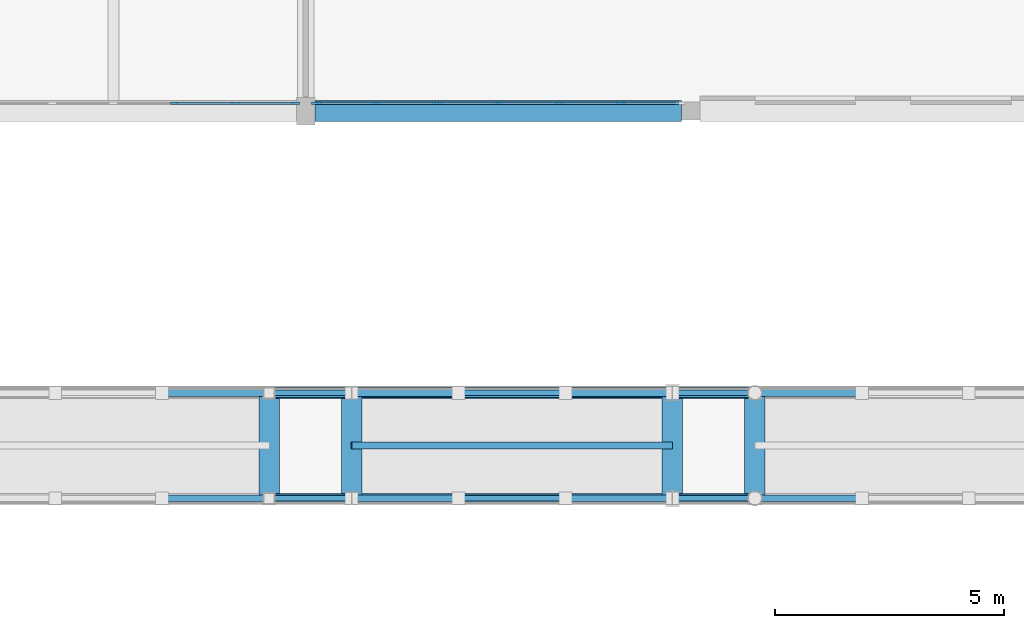
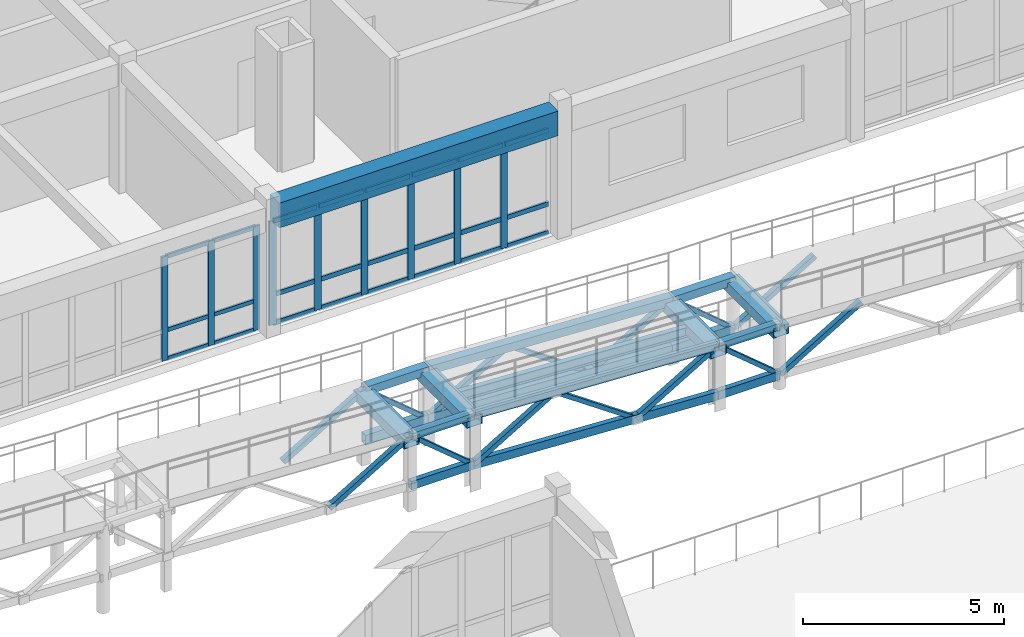
# One storey, part 39 of 89: 59 members, 6 beams, 2 elements without a shape of their own.
"""IFC4 building model written with IfcOpenShell, lengths in metres."""

from ifc_helpers import new_model, si_unit, direction, frame, origin, origin_2d, place, context, subcontext, project, spatial, rectangle, hollow_rectangle, i_section, extrude, material, material_profile, profile_set, type_object, element, aggregate, save


model = new_model("IFC4")

# Units and contexts
model_context = context("Model", 3, precision=1e-05, world=origin(), true_north=direction((0.0, 1.0)))
body_context = subcontext(model_context, "Body", "Model", "MODEL_VIEW")
ifc_project = project(units=[si_unit("LENGTHUNIT", "METRE"), si_unit("AREAUNIT", "SQUARE_METRE"), si_unit("VOLUMEUNIT", "CUBIC_METRE"), si_unit("PLANEANGLEUNIT", "RADIAN"), si_unit("MASSUNIT", "GRAM", prefix="KILO")], contexts=[model_context])

# Site, building, storey
site_placement = place(None, origin())
site = spatial("IfcSite", under=ifc_project, at=site_placement, CompositionType="ELEMENT")
building_placement = place(site_placement, origin())
building = spatial("IfcBuilding", under=site, at=building_placement, Name="Malvenik Polytechnic", CompositionType="ELEMENT")
storey_placement = place(building_placement, frame((0.0, 0.0, 13.5)))
storey = spatial("IfcBuildingStorey", under=building, at=storey_placement, Name="L03", CompositionType="ELEMENT", Elevation=13.5)

# Curtain wall, members
ifc_material_1 = material(Name="Anodised aluminium 6060-T6", Category="aluminium")
curtain_wall_type = type_object("IfcCurtainWallType", Name="ARC-CW-CW-02", PredefinedType="NOTDEFINED", material=ifc_material_1)
curtain_wall_1_placement = place(storey_placement, origin())
curtain_wall_1 = element("IfcCurtainWall", 1, at=curtain_wall_1_placement, inside=storey, type_object=curtain_wall_type, Name="Unitised Curtain Wall CW-02 L03 #199", PredefinedType="NOTDEFINED")
ifc_material_2 = material(Name="Anodised aluminium", Category="aluminium")
ifc_material_profile_1 = material_profile(ifc_material_2, rectangle(XDim=0.06005859375, YDim=0.179931640625, at=origin_2d()), Name="ALU MULLION 60x180")
ifc_profile_set_1 = profile_set([ifc_material_profile_1], Name="Anodised aluminium")
member_type_1 = type_object("IfcMemberType", Name="ARC-CWM-180", PredefinedType="MULLION", material=ifc_profile_set_1)
member_1_placement = place(storey_placement, frame((66.971923828125, 79.3701171875, 0.0), z_axis=(0.0, 0.0, 1.0), x_axis=(0.0, -1.0, 0.0)))
member_1 = element("IfcMember", 2, at=member_1_placement, type_object=member_type_1, Name="CW-02 mullion 1", PredefinedType="MULLION", context=body_context, shape_type="SweptSolid", body=[
    extrude(rectangle(XDim=0.06005859375, YDim=0.179931640625, at=origin_2d()), origin(), (0.0, 0.0, 1.0), 3.159912109375),
])
member_2_placement = place(storey_placement, frame((65.66796875, 79.3701171875, 0.0), z_axis=(0.0, 0.0, 1.0), x_axis=(0.0, -1.0, 0.0)))
member_2 = element("IfcMember", 3, at=member_2_placement, type_object=member_type_1, Name="CW-02 mullion 2", PredefinedType="MULLION", context=body_context, shape_type="SweptSolid", body=[
    extrude(rectangle(XDim=0.06005859375, YDim=0.179931640625, at=origin_2d()), origin(), (0.0, 0.0, 1.0), 3.159912109375),
])
member_3_placement = place(storey_placement, frame((64.333984375, 79.3701171875, 0.0), z_axis=(0.0, 0.0, 1.0), x_axis=(0.0, -1.0, 0.0)))
member_3 = element("IfcMember", 4, at=member_3_placement, type_object=member_type_1, Name="CW-02 mullion 3", PredefinedType="MULLION", context=body_context, shape_type="SweptSolid", body=[
    extrude(rectangle(XDim=0.06005859375, YDim=0.179931640625, at=origin_2d()), origin(), (0.0, 0.0, 1.0), 3.159912109375),
])

curtain_wall_2_placement = place(storey_placement, origin())
curtain_wall_2 = element("IfcCurtainWall", 5, at=curtain_wall_2_placement, inside=storey, type_object=curtain_wall_type, Name="Unitised Curtain Wall CW-02 L03 #198", PredefinedType="NOTDEFINED")
ifc_material_profile_2 = material_profile(ifc_material_2, rectangle(XDim=0.06005859375, YDim=0.199951171875, at=origin_2d()), Name="ALU MULLION 60x200")
ifc_profile_set_2 = profile_set([ifc_material_profile_2], Name="Anodised aluminium")
member_type_2 = type_object("IfcMemberType", Name="ARC-CWM-200", PredefinedType="MULLION", material=ifc_profile_set_2)
member_4_placement = place(storey_placement, frame((74.068115234375, 79.3701171875, 0.0), z_axis=(0.0, 0.0, 1.0), x_axis=(0.0, -1.0, 0.0)))
member_4 = element("IfcMember", 6, at=member_4_placement, type_object=member_type_2, Name="CW-02 mullion 2", PredefinedType="MULLION", context=body_context, shape_type="SweptSolid", body=[
    extrude(rectangle(XDim=0.06005859375, YDim=0.199951171875, at=origin_2d()), origin(), (0.0, 0.0, 1.0), 3.159912109375),
])
member_5_placement = place(storey_placement, frame((72.73388671875, 79.3701171875, 0.0), z_axis=(0.0, 0.0, 1.0), x_axis=(0.0, -1.0, 0.0)))
member_5 = element("IfcMember", 7, at=member_5_placement, type_object=member_type_2, Name="CW-02 mullion 3", PredefinedType="MULLION", context=body_context, shape_type="SweptSolid", body=[
    extrude(rectangle(XDim=0.06005859375, YDim=0.199951171875, at=origin_2d()), origin(), (0.0, 0.0, 1.0), 3.159912109375),
])
member_6_placement = place(storey_placement, frame((71.39990234375, 79.3701171875, 0.0), z_axis=(0.0, 0.0, 1.0), x_axis=(0.0, -1.0, 0.0)))
member_6 = element("IfcMember", 8, at=member_6_placement, type_object=member_type_2, Name="CW-02 mullion 4", PredefinedType="MULLION", context=body_context, shape_type="SweptSolid", body=[
    extrude(rectangle(XDim=0.06005859375, YDim=0.199951171875, at=origin_2d()), origin(), (0.0, 0.0, 1.0), 3.159912109375),
])
member_7_placement = place(storey_placement, frame((70.06591796875, 79.3701171875, 0.0), z_axis=(0.0, 0.0, 1.0), x_axis=(0.0, -1.0, 0.0)))
member_7 = element("IfcMember", 9, at=member_7_placement, type_object=member_type_2, Name="CW-02 mullion 5", PredefinedType="MULLION", context=body_context, shape_type="SweptSolid", body=[
    extrude(rectangle(XDim=0.06005859375, YDim=0.199951171875, at=origin_2d()), origin(), (0.0, 0.0, 1.0), 3.159912109375),
])
member_8_placement = place(storey_placement, frame((68.73193359375, 79.3701171875, 0.0), z_axis=(0.0, 0.0, 1.0), x_axis=(0.0, -1.0, 0.0)))
member_8 = element("IfcMember", 10, at=member_8_placement, type_object=member_type_2, Name="CW-02 mullion 6", PredefinedType="MULLION", context=body_context, shape_type="SweptSolid", body=[
    extrude(rectangle(XDim=0.06005859375, YDim=0.199951171875, at=origin_2d()), origin(), (0.0, 0.0, 1.0), 3.159912109375),
])
member_9_placement = place(storey_placement, frame((67.427978515625, 79.3701171875, 0.0), z_axis=(0.0, 0.0, 1.0), x_axis=(0.0, -1.0, 0.0)))
member_9 = element("IfcMember", 11, at=member_9_placement, type_object=member_type_2, Name="CW-02 mullion 7", PredefinedType="MULLION", context=body_context, shape_type="SweptSolid", body=[
    extrude(rectangle(XDim=0.06005859375, YDim=0.199951171875, at=origin_2d()), origin(), (0.0, 0.0, 1.0), 3.159912109375),
])

# Member
ifc_material_profile_3 = material_profile(ifc_material_2, rectangle(XDim=0.06005859375, YDim=0.1201171875, at=origin_2d()), Name="ALU TRANSOM 60x120")
ifc_profile_set_3 = profile_set([ifc_material_profile_3], Name="Anodised aluminium")
member_type_3 = type_object("IfcMemberType", Name="ARC-CWT-120", PredefinedType="USERDEFINED", material=ifc_profile_set_3)
member_10_placement = place(storey_placement, frame((66.94189453125, 79.3701171875, 0.030029296875), z_axis=(-1.0, 0.0, 0.0), x_axis=(0.0, -1.0, 0.0)))
member_10 = element("IfcMember", 12, at=member_10_placement, type_object=member_type_3, Name="CW-02 transom 1.1", ObjectType="TRANSOM", PredefinedType="USERDEFINED", context=body_context, shape_type="SweptSolid", body=[
    extrude(rectangle(XDim=0.06005859375, YDim=0.1201171875, at=origin_2d()), origin(), (0.0, 0.0, 1.0), 1.243896484375),
])

member_11_placement = place(storey_placement, frame((66.94189453125, 79.3701171875, 0.89990234375), z_axis=(-1.0, 0.0, 0.0), x_axis=(0.0, -1.0, 0.0)))
member_11 = element("IfcMember", 13, at=member_11_placement, type_object=member_type_3, Name="CW-02 transom 1.2", ObjectType="TRANSOM", PredefinedType="USERDEFINED", context=body_context, shape_type="SweptSolid", body=[
    extrude(rectangle(XDim=0.06005859375, YDim=0.1201171875, at=origin_2d()), origin(), (0.0, 0.0, 1.0), 1.243896484375),
])

member_12_placement = place(storey_placement, frame((66.94189453125, 79.3701171875, 3.1298828125), z_axis=(-1.0, 0.0, 0.0), x_axis=(0.0, -1.0, 0.0)))
member_12 = element("IfcMember", 14, at=member_12_placement, type_object=member_type_3, Name="CW-02 transom 1.3", ObjectType="TRANSOM", PredefinedType="USERDEFINED", context=body_context, shape_type="SweptSolid", body=[
    extrude(rectangle(XDim=0.06005859375, YDim=0.1201171875, at=origin_2d()), origin(), (0.0, 0.0, 1.0), 1.243896484375),
])

member_13_placement = place(storey_placement, frame((65.637939453125, 79.3701171875, 0.030029296875), z_axis=(-1.0, 0.0, 0.0), x_axis=(0.0, -1.0, 0.0)))
member_13 = element("IfcMember", 15, at=member_13_placement, type_object=member_type_3, Name="CW-02 transom 2.1", ObjectType="TRANSOM", PredefinedType="USERDEFINED", context=body_context, shape_type="SweptSolid", body=[
    extrude(rectangle(XDim=0.06005859375, YDim=0.1201171875, at=origin_2d()), origin(), (0.0, 0.0, 1.0), 1.27392578125),
])

member_14_placement = place(storey_placement, frame((65.637939453125, 79.3701171875, 0.89990234375), z_axis=(-1.0, 0.0, 0.0), x_axis=(0.0, -1.0, 0.0)))
member_14 = element("IfcMember", 16, at=member_14_placement, type_object=member_type_3, Name="CW-02 transom 2.2", ObjectType="TRANSOM", PredefinedType="USERDEFINED", context=body_context, shape_type="SweptSolid", body=[
    extrude(rectangle(XDim=0.06005859375, YDim=0.1201171875, at=origin_2d()), origin(), (0.0, 0.0, 1.0), 1.27392578125),
])

member_15_placement = place(storey_placement, frame((65.637939453125, 79.3701171875, 3.1298828125), z_axis=(-1.0, 0.0, 0.0), x_axis=(0.0, -1.0, 0.0)))
member_15 = element("IfcMember", 17, at=member_15_placement, type_object=member_type_3, Name="CW-02 transom 2.3", ObjectType="TRANSOM", PredefinedType="USERDEFINED", context=body_context, shape_type="SweptSolid", body=[
    extrude(rectangle(XDim=0.06005859375, YDim=0.1201171875, at=origin_2d()), origin(), (0.0, 0.0, 1.0), 1.27392578125),
])

aggregate(curtain_wall_1, [member_1, member_2, member_3, member_10, member_11, member_12, member_13, member_14, member_15])

ifc_material_profile_4 = material_profile(ifc_material_2, rectangle(XDim=0.06005859375, YDim=0.139892578125, at=origin_2d()), Name="ALU TRANSOM 60x140")
ifc_profile_set_4 = profile_set([ifc_material_profile_4], Name="Anodised aluminium")
member_type_4 = type_object("IfcMemberType", Name="ARC-CWT-140", PredefinedType="USERDEFINED", material=ifc_profile_set_4)
member_16_placement = place(storey_placement, frame((75.342041015625, 79.3701171875, 0.030029296875), z_axis=(-1.0, 0.0, 0.0), x_axis=(0.0, -1.0, 0.0)))
member_16 = element("IfcMember", 18, at=member_16_placement, type_object=member_type_4, Name="CW-02 transom 1.1", ObjectType="TRANSOM", PredefinedType="USERDEFINED", context=body_context, shape_type="SweptSolid", body=[
    extrude(rectangle(XDim=0.06005859375, YDim=0.139892578125, at=origin_2d()), origin(), (0.0, 0.0, 1.0), 1.244140625),
])

member_17_placement = place(storey_placement, frame((75.342041015625, 79.3701171875, 0.89990234375), z_axis=(-1.0, 0.0, 0.0), x_axis=(0.0, -1.0, 0.0)))
member_17 = element("IfcMember", 19, at=member_17_placement, type_object=member_type_4, Name="CW-02 transom 1.2", ObjectType="TRANSOM", PredefinedType="USERDEFINED", context=body_context, shape_type="SweptSolid", body=[
    extrude(rectangle(XDim=0.06005859375, YDim=0.139892578125, at=origin_2d()), origin(), (0.0, 0.0, 1.0), 1.244140625),
])

member_18_placement = place(storey_placement, frame((75.342041015625, 79.3701171875, 3.1298828125), z_axis=(-1.0, 0.0, 0.0), x_axis=(0.0, -1.0, 0.0)))
member_18 = element("IfcMember", 20, at=member_18_placement, type_object=member_type_4, Name="CW-02 transom 1.3", ObjectType="TRANSOM", PredefinedType="USERDEFINED", context=body_context, shape_type="SweptSolid", body=[
    extrude(rectangle(XDim=0.06005859375, YDim=0.139892578125, at=origin_2d()), origin(), (0.0, 0.0, 1.0), 1.244140625),
])

member_19_placement = place(storey_placement, frame((74.0380859375, 79.3701171875, 0.030029296875), z_axis=(-1.0, 0.0, 0.0), x_axis=(0.0, -1.0, 0.0)))
member_19 = element("IfcMember", 21, at=member_19_placement, type_object=member_type_4, Name="CW-02 transom 2.1", ObjectType="TRANSOM", PredefinedType="USERDEFINED", context=body_context, shape_type="SweptSolid", body=[
    extrude(rectangle(XDim=0.06005859375, YDim=0.139892578125, at=origin_2d()), origin(), (0.0, 0.0, 1.0), 1.274169921875),
])

member_20_placement = place(storey_placement, frame((74.0380859375, 79.3701171875, 0.89990234375), z_axis=(-1.0, 0.0, 0.0), x_axis=(0.0, -1.0, 0.0)))
member_20 = element("IfcMember", 22, at=member_20_placement, type_object=member_type_4, Name="CW-02 transom 2.2", ObjectType="TRANSOM", PredefinedType="USERDEFINED", context=body_context, shape_type="SweptSolid", body=[
    extrude(rectangle(XDim=0.06005859375, YDim=0.139892578125, at=origin_2d()), origin(), (0.0, 0.0, 1.0), 1.274169921875),
])

member_21_placement = place(storey_placement, frame((74.0380859375, 79.3701171875, 3.1298828125), z_axis=(-1.0, 0.0, 0.0), x_axis=(0.0, -1.0, 0.0)))
member_21 = element("IfcMember", 23, at=member_21_placement, type_object=member_type_4, Name="CW-02 transom 2.3", ObjectType="TRANSOM", PredefinedType="USERDEFINED", context=body_context, shape_type="SweptSolid", body=[
    extrude(rectangle(XDim=0.06005859375, YDim=0.139892578125, at=origin_2d()), origin(), (0.0, 0.0, 1.0), 1.274169921875),
])

member_22_placement = place(storey_placement, frame((72.7041015625, 79.3701171875, 0.030029296875), z_axis=(-1.0, 0.0, 0.0), x_axis=(0.0, -1.0, 0.0)))
member_22 = element("IfcMember", 24, at=member_22_placement, type_object=member_type_4, Name="CW-02 transom 3.1", ObjectType="TRANSOM", PredefinedType="USERDEFINED", context=body_context, shape_type="SweptSolid", body=[
    extrude(rectangle(XDim=0.06005859375, YDim=0.139892578125, at=origin_2d()), origin(), (0.0, 0.0, 1.0), 1.274169921875),
])

member_23_placement = place(storey_placement, frame((72.7041015625, 79.3701171875, 0.89990234375), z_axis=(-1.0, 0.0, 0.0), x_axis=(0.0, -1.0, 0.0)))
member_23 = element("IfcMember", 25, at=member_23_placement, type_object=member_type_4, Name="CW-02 transom 3.2", ObjectType="TRANSOM", PredefinedType="USERDEFINED", context=body_context, shape_type="SweptSolid", body=[
    extrude(rectangle(XDim=0.06005859375, YDim=0.139892578125, at=origin_2d()), origin(), (0.0, 0.0, 1.0), 1.274169921875),
])

member_24_placement = place(storey_placement, frame((72.7041015625, 79.3701171875, 3.1298828125), z_axis=(-1.0, 0.0, 0.0), x_axis=(0.0, -1.0, 0.0)))
member_24 = element("IfcMember", 26, at=member_24_placement, type_object=member_type_4, Name="CW-02 transom 3.3", ObjectType="TRANSOM", PredefinedType="USERDEFINED", context=body_context, shape_type="SweptSolid", body=[
    extrude(rectangle(XDim=0.06005859375, YDim=0.139892578125, at=origin_2d()), origin(), (0.0, 0.0, 1.0), 1.274169921875),
])

member_25_placement = place(storey_placement, frame((71.3701171875, 79.3701171875, 0.030029296875), z_axis=(-1.0, 0.0, 0.0), x_axis=(0.0, -1.0, 0.0)))
member_25 = element("IfcMember", 27, at=member_25_placement, type_object=member_type_4, Name="CW-02 transom 4.1", ObjectType="TRANSOM", PredefinedType="USERDEFINED", context=body_context, shape_type="SweptSolid", body=[
    extrude(rectangle(XDim=0.06005859375, YDim=0.139892578125, at=origin_2d()), origin(), (0.0, 0.0, 1.0), 1.274169921875),
])

member_26_placement = place(storey_placement, frame((71.3701171875, 79.3701171875, 0.89990234375), z_axis=(-1.0, 0.0, 0.0), x_axis=(0.0, -1.0, 0.0)))
member_26 = element("IfcMember", 28, at=member_26_placement, type_object=member_type_4, Name="CW-02 transom 4.2", ObjectType="TRANSOM", PredefinedType="USERDEFINED", context=body_context, shape_type="SweptSolid", body=[
    extrude(rectangle(XDim=0.06005859375, YDim=0.139892578125, at=origin_2d()), origin(), (0.0, 0.0, 1.0), 1.274169921875),
])

member_27_placement = place(storey_placement, frame((71.3701171875, 79.3701171875, 3.1298828125), z_axis=(-1.0, 0.0, 0.0), x_axis=(0.0, -1.0, 0.0)))
member_27 = element("IfcMember", 29, at=member_27_placement, type_object=member_type_4, Name="CW-02 transom 4.3", ObjectType="TRANSOM", PredefinedType="USERDEFINED", context=body_context, shape_type="SweptSolid", body=[
    extrude(rectangle(XDim=0.06005859375, YDim=0.139892578125, at=origin_2d()), origin(), (0.0, 0.0, 1.0), 1.274169921875),
])

member_28_placement = place(storey_placement, frame((70.035888671875, 79.3701171875, 0.030029296875), z_axis=(-1.0, 0.0, 0.0), x_axis=(0.0, -1.0, 0.0)))
member_28 = element("IfcMember", 30, at=member_28_placement, type_object=member_type_4, Name="CW-02 transom 5.1", ObjectType="TRANSOM", PredefinedType="USERDEFINED", context=body_context, shape_type="SweptSolid", body=[
    extrude(rectangle(XDim=0.06005859375, YDim=0.139892578125, at=origin_2d()), origin(), (0.0, 0.0, 1.0), 1.27392578125),
])

member_29_placement = place(storey_placement, frame((70.035888671875, 79.3701171875, 0.89990234375), z_axis=(-1.0, 0.0, 0.0), x_axis=(0.0, -1.0, 0.0)))
member_29 = element("IfcMember", 31, at=member_29_placement, type_object=member_type_4, Name="CW-02 transom 5.2", ObjectType="TRANSOM", PredefinedType="USERDEFINED", context=body_context, shape_type="SweptSolid", body=[
    extrude(rectangle(XDim=0.06005859375, YDim=0.139892578125, at=origin_2d()), origin(), (0.0, 0.0, 1.0), 1.27392578125),
])

member_30_placement = place(storey_placement, frame((70.035888671875, 79.3701171875, 3.1298828125), z_axis=(-1.0, 0.0, 0.0), x_axis=(0.0, -1.0, 0.0)))
member_30 = element("IfcMember", 32, at=member_30_placement, type_object=member_type_4, Name="CW-02 transom 5.3", ObjectType="TRANSOM", PredefinedType="USERDEFINED", context=body_context, shape_type="SweptSolid", body=[
    extrude(rectangle(XDim=0.06005859375, YDim=0.139892578125, at=origin_2d()), origin(), (0.0, 0.0, 1.0), 1.27392578125),
])

member_31_placement = place(storey_placement, frame((68.701904296875, 79.3701171875, 0.030029296875), z_axis=(-1.0, 0.0, 0.0), x_axis=(0.0, -1.0, 0.0)))
member_31 = element("IfcMember", 33, at=member_31_placement, type_object=member_type_4, Name="CW-02 transom 6.1", ObjectType="TRANSOM", PredefinedType="USERDEFINED", context=body_context, shape_type="SweptSolid", body=[
    extrude(rectangle(XDim=0.06005859375, YDim=0.139892578125, at=origin_2d()), origin(), (0.0, 0.0, 1.0), 1.243896484375),
])

member_32_placement = place(storey_placement, frame((68.701904296875, 79.3701171875, 0.89990234375), z_axis=(-1.0, 0.0, 0.0), x_axis=(0.0, -1.0, 0.0)))
member_32 = element("IfcMember", 34, at=member_32_placement, type_object=member_type_4, Name="CW-02 transom 6.2", ObjectType="TRANSOM", PredefinedType="USERDEFINED", context=body_context, shape_type="SweptSolid", body=[
    extrude(rectangle(XDim=0.06005859375, YDim=0.139892578125, at=origin_2d()), origin(), (0.0, 0.0, 1.0), 1.243896484375),
])

member_33_placement = place(storey_placement, frame((68.701904296875, 79.3701171875, 3.1298828125), z_axis=(-1.0, 0.0, 0.0), x_axis=(0.0, -1.0, 0.0)))
member_33 = element("IfcMember", 35, at=member_33_placement, type_object=member_type_4, Name="CW-02 transom 6.3", ObjectType="TRANSOM", PredefinedType="USERDEFINED", context=body_context, shape_type="SweptSolid", body=[
    extrude(rectangle(XDim=0.06005859375, YDim=0.139892578125, at=origin_2d()), origin(), (0.0, 0.0, 1.0), 1.243896484375),
])

aggregate(curtain_wall_2, [member_4, member_5, member_6, member_7, member_8, member_9, member_16, member_17, member_18, member_19, member_20, member_21, member_22, member_23, member_24, member_25, member_26, member_27, member_28, member_29, member_30, member_31, member_32, member_33])

# Beams
ifc_material_3 = material(Name="Steel S355J2H", Category="steel")
ifc_material_profile_5 = material_profile(ifc_material_3, hollow_rectangle(XDim=0.449951171875, YDim=0.300048828125, WallThickness=0.012451171875, at=origin_2d()), Name="RHS 450x300x12.5")
ifc_profile_set_5 = profile_set([ifc_material_profile_5], Name="Steel S355J2H")
beam_type_1 = type_object("IfcBeamType", Name="STR-BM-SB-07", PredefinedType="BEAM", material=ifc_profile_set_5)
for number, where, z_axis, x_axis, name in (
    (36, (77.0, 70.64990234375, 1.73193359375), (0.0, 1.0, 0.0), (-1.0, 0.0, 0.0), "Ramp Joint Transom RB-02 #11"),
    (37, (75.199951171875, 70.64990234375, 1.73193359375), (0.0, 1.0, 0.0), (-1.0, 0.0, 0.0), "Ramp Joint Transom RB-02 #12"),
    (38, (68.199951171875, 70.64990234375, 2.08203125), (0.0, 1.0, 0.0), (-1.0, 0.0, 0.0), "Ramp Joint Transom RB-02 #13"),
    (39, (66.39990234375, 70.64990234375, 2.08203125), (0.0, 1.0, 0.0), (-1.0, 0.0, 0.0), "Ramp Joint Transom RB-02 #14"),
):
    element("IfcBeam", number, at=place(storey_placement, frame(where, z_axis=z_axis, x_axis=x_axis)), inside=storey, type_object=beam_type_1, Name=name, PredefinedType="BEAM", context=body_context, shape_type="SweptSolid", body=[
        extrude(hollow_rectangle(XDim=0.449951171875, YDim=0.300048828125, WallThickness=0.012451171875, at=origin_2d()), origin(), (0.0, 0.0, 1.0), 2.5),
    ])
ifc_material_4 = material(Name="Steel S355", Category="steel")
ifc_material_profile_6 = material_profile(ifc_material_4, i_section(OverallWidth=0.14990234375, OverallDepth=0.300048828125, WebThickness=0.007080078125, FlangeThickness=0.0107421875, FilletRadius=0.014892578125, at=origin_2d()), Name="IPE 300")
ifc_profile_set_6 = profile_set([ifc_material_profile_6], Name="Steel S355")
beam_type_2 = type_object("IfcBeamType", Name="STR-BM-SB-09", PredefinedType="JOIST", material=ifc_profile_set_6)
beam_1_placement = place(storey_placement, frame((75.199951171875, 71.89990234375, 1.675048828125), z_axis=(-0.998753381067, 0.0, 0.049916768801), x_axis=(0.0, -1.0, 0.0)))
element("IfcBeam", 40, at=beam_1_placement, inside=storey, type_object=beam_type_2, Name="Ramp Centreline Stringer RB-02 #12", PredefinedType="JOIST", context=body_context, shape_type="SweptSolid", body=[
    extrude(i_section(OverallWidth=0.14990234375, OverallDepth=0.300048828125, WebThickness=0.007080078125, FlangeThickness=0.0107421875, FilletRadius=0.014892578125, at=origin_2d()), origin(), (0.0, 0.0, 1.0), 7.0087890625),
])
ifc_material_5 = material(Name="Precast concrete C40/50", Category="concrete")
ifc_material_profile_7 = material_profile(ifc_material_5, rectangle(XDim=0.4599609375, YDim=0.75, at=origin_2d()), Name="PC SPN 460x750")
ifc_profile_set_7 = profile_set([ifc_material_profile_7], Name="Precast concrete C40/50")
beam_type_3 = type_object("IfcBeamType", Name="STR-BM-SP-02", PredefinedType="SPANDREL", material=ifc_profile_set_7)
beam_2_placement = place(storey_placement, frame((67.39794921875, 79.199951171875, 3.544921875), z_axis=(1.0, 0.0, 0.0), x_axis=(0.0, 1.0, 0.0)))
element("IfcBeam", 41, at=beam_2_placement, inside=storey, type_object=beam_type_3, Name="Primary Beam SP-02 L03 #1642", PredefinedType="SPANDREL", context=body_context, shape_type="SweptSolid", body=[
    extrude(rectangle(XDim=0.4599609375, YDim=0.75, at=origin_2d()), origin(), (0.0, 0.0, 1.0), 8.004150390625),
])

# Members
ifc_material_profile_8 = material_profile(ifc_material_3, hollow_rectangle(XDim=0.14990234375, YDim=0.25, WallThickness=0.010009765625, at=origin_2d()), Name="RHS 250x150x10.0")
ifc_profile_set_8 = profile_set([ifc_material_profile_8], Name="Steel S355J2H")
member_type_5 = type_object("IfcMemberType", Name="STR-MEM-TRB-01", PredefinedType="CHORD", material=ifc_profile_set_8)
member_34_placement = place(storey_placement, frame((76.99609375, 70.75, 0.3798828125), z_axis=(-1.0, 0.0, 0.0), x_axis=(0.0, -1.0, 0.0)))
element("IfcMember", 42, at=member_34_placement, inside=storey, type_object=member_type_5, Name="Space-Frame Tube TRB-01 STR-TR-BC-RB-02-1-11", PredefinedType="CHORD", context=body_context, shape_type="SweptSolid", body=[
    extrude(hollow_rectangle(XDim=0.14990234375, YDim=0.25, WallThickness=0.010009765625, at=origin_2d()), origin(), (0.0, 0.0, 1.0), 1.7919921875),
])
member_35_placement = place(storey_placement, frame((75.196044921875, 70.75, 0.380126953125), z_axis=(-0.998752251909, 0.0, 0.049939356288), x_axis=(0.0, -1.0, 0.0)))
element("IfcMember", 43, at=member_35_placement, inside=storey, type_object=member_type_5, Name="Space-Frame Tube TRB-01 STR-TR-BC-RB-02-1-12", PredefinedType="CHORD", context=body_context, shape_type="SweptSolid", body=[
    extrude(hollow_rectangle(XDim=0.14990234375, YDim=0.25, WallThickness=0.010009765625, at=origin_2d()), origin(), (0.0, 0.0, 1.0), 7.000732421875),
])
member_36_placement = place(storey_placement, frame((68.196044921875, 70.75, 0.72998046875), z_axis=(-1.0, 0.0, 0.0), x_axis=(0.0, -1.0, 0.0)))
element("IfcMember", 44, at=member_36_placement, inside=storey, type_object=member_type_5, Name="Space-Frame Tube TRB-01 STR-TR-BC-RB-02-1-13", PredefinedType="CHORD", context=body_context, shape_type="SweptSolid", body=[
    extrude(hollow_rectangle(XDim=0.14990234375, YDim=0.25, WallThickness=0.010009765625, at=origin_2d()), origin(), (0.0, 0.0, 1.0), 1.7919921875),
])
ifc_material_profile_9 = material_profile(ifc_material_3, hollow_rectangle(XDim=0.199951171875, YDim=0.300048828125, WallThickness=0.010009765625, at=origin_2d()), Name="RHS 300x200x10.0")
ifc_profile_set_9 = profile_set([ifc_material_profile_9], Name="Steel S355J2H")
member_type_6 = type_object("IfcMemberType", Name="STR-MEM-TRB-02", PredefinedType="CHORD", material=ifc_profile_set_9)
member_37_placement = place(storey_placement, frame((76.99609375, 73.050048828125, 0.3798828125), z_axis=(-1.0, 0.0, 0.0), x_axis=(0.0, -1.0, 0.0)))
element("IfcMember", 45, at=member_37_placement, inside=storey, type_object=member_type_6, Name="Space-Frame Tube TRB-02 STR-TR-BC-RB-02-2-11", PredefinedType="CHORD", context=body_context, shape_type="SweptSolid", body=[
    extrude(hollow_rectangle(XDim=0.199951171875, YDim=0.300048828125, WallThickness=0.010009765625, at=origin_2d()), origin(), (0.0, 0.0, 1.0), 1.7919921875),
])
member_38_placement = place(storey_placement, frame((75.196044921875, 73.050048828125, 0.380126953125), z_axis=(-0.998752251909, 0.0, 0.049939356288), x_axis=(0.0, -1.0, 0.0)))
element("IfcMember", 46, at=member_38_placement, inside=storey, type_object=member_type_6, Name="Space-Frame Tube TRB-02 STR-TR-BC-RB-02-2-12", PredefinedType="CHORD", context=body_context, shape_type="SweptSolid", body=[
    extrude(hollow_rectangle(XDim=0.199951171875, YDim=0.300048828125, WallThickness=0.010009765625, at=origin_2d()), origin(), (0.0, 0.0, 1.0), 7.000732421875),
])
member_39_placement = place(storey_placement, frame((68.196044921875, 73.050048828125, 0.72998046875), z_axis=(-1.0, 0.0, 0.0), x_axis=(0.0, -1.0, 0.0)))
element("IfcMember", 47, at=member_39_placement, inside=storey, type_object=member_type_6, Name="Space-Frame Tube TRB-02 STR-TR-BC-RB-02-2-13", PredefinedType="CHORD", context=body_context, shape_type="SweptSolid", body=[
    extrude(hollow_rectangle(XDim=0.199951171875, YDim=0.300048828125, WallThickness=0.010009765625, at=origin_2d()), origin(), (0.0, 0.0, 1.0), 1.7919921875),
])
ifc_material_profile_10 = material_profile(ifc_material_3, hollow_rectangle(XDim=0.14990234375, YDim=0.14990234375, WallThickness=0.008056640625, at=origin_2d()), Name="SHS 150x150x8.0")
ifc_profile_set_10 = profile_set([ifc_material_profile_10], Name="Steel S355J2H")
member_type_7 = type_object("IfcMemberType", Name="STR-MEM-TRD-01", PredefinedType="BRACE", material=ifc_profile_set_10)
for number, where, z_axis, x_axis, name in (
    (48, (79.329833984375, 70.75, 1.76123046875), (-0.860205006447, 0.0, -0.509948376684), (0.0, -1.0, 0.0), "Space-Frame Tube TRD-01 STR-TRD-03-RB-02-1-10"),
    (49, (75.196533203125, 70.75, 1.8779296875), (-0.860205006447, 0.0, -0.509948376684), (0.0, -1.0, 0.0), "Space-Frame Tube TRD-01 STR-TRD-01-RB-02-1-12"),
    (50, (70.52978515625, 70.75, 2.111328125), (-0.860165406805, 0.0, -0.51001516932), (0.0, -1.0, 0.0), "Space-Frame Tube TRD-01 STR-TRD-03-RB-02-1-12"),
    (51, (66.396484375, 70.75, 2.22802734375), (-0.860165406805, 0.0, -0.51001516932), (0.0, -1.0, 0.0), "Space-Frame Tube TRD-01 STR-TRD-01-RB-02-1-14"),
    (52, (79.329833984375, 73.050048828125, 1.76123046875), (-0.860205006447, 0.0, -0.509948376684), (0.0, -1.0, 0.0), "Space-Frame Tube TRD-01 STR-TRD-03-RB-02-2-10"),
    (53, (75.196533203125, 73.050048828125, 1.8779296875), (-0.860205006447, 0.0, -0.509948376684), (0.0, -1.0, 0.0), "Space-Frame Tube TRD-01 STR-TRD-01-RB-02-2-12"),
    (54, (70.52978515625, 73.050048828125, 2.111328125), (-0.860165406805, 0.0, -0.51001516932), (0.0, -1.0, 0.0), "Space-Frame Tube TRD-01 STR-TRD-03-RB-02-2-12"),
    (55, (66.396484375, 73.050048828125, 2.22802734375), (-0.860165406805, 0.0, -0.51001516932), (0.0, -1.0, 0.0), "Space-Frame Tube TRD-01 STR-TRD-01-RB-02-2-14"),
):
    element("IfcMember", number, at=place(storey_placement, frame(where, z_axis=z_axis, x_axis=x_axis)), inside=storey, type_object=member_type_7, Name=name, PredefinedType="BRACE", context=body_context, shape_type="SweptSolid", body=[
        extrude(hollow_rectangle(XDim=0.14990234375, YDim=0.14990234375, WallThickness=0.008056640625, at=origin_2d()), origin(), (0.0, 0.0, 1.0), 2.70458984375),
    ])
ifc_material_profile_11 = material_profile(ifc_material_3, hollow_rectangle(XDim=0.1201171875, YDim=0.1201171875, WallThickness=0.00634765625, at=origin_2d()), Name="SHS 120x120x6.3")
ifc_profile_set_11 = profile_set([ifc_material_profile_11], Name="Steel S355J2H")
member_type_8 = type_object("IfcMemberType", Name="STR-MEM-TRD-02", PredefinedType="BRACE", material=ifc_profile_set_11)
member_40_placement = place(storey_placement, frame((76.996826171875, 70.75, 0.382568359375), z_axis=(-0.768195567728, 0.0, 0.640215252647), x_axis=(0.0, -1.0, 0.0)))
element("IfcMember", 56, at=member_40_placement, inside=storey, type_object=member_type_8, Name="Space-Frame Tube TRD-02 STR-TR-DGL-RB-02-1-11", PredefinedType="BRACE", context=body_context, shape_type="SweptSolid", body=[
    extrude(hollow_rectangle(XDim=0.1201171875, YDim=0.1201171875, WallThickness=0.00634765625, at=origin_2d()), origin(), (0.0, 0.0, 1.0), 2.3349609375),
])
member_41_placement = place(storey_placement, frame((72.86328125, 70.75, 0.4990234375), z_axis=(-0.821977884392, 0.0, 0.569519409301), x_axis=(0.0, -1.0, 0.0)))
element("IfcMember", 57, at=member_41_placement, inside=storey, type_object=member_type_8, Name="Space-Frame Tube TRD-02 STR-TRD-02-RB-02-1-12", PredefinedType="BRACE", context=body_context, shape_type="SweptSolid", body=[
    extrude(hollow_rectangle(XDim=0.1201171875, YDim=0.1201171875, WallThickness=0.00634765625, at=origin_2d()), origin(), (0.0, 0.0, 1.0), 2.83056640625),
])
for number, where, z_axis, x_axis, name in (
    (58, (68.197021484375, 70.75, 0.732666015625), (-0.768289837605, 0.0, 0.640102121097), (0.0, -1.0, 0.0), "Space-Frame Tube TRD-02 STR-TR-DGL-RB-02-1-13"),
    (59, (76.996826171875, 73.050048828125, 0.382568359375), (-0.768195567728, 0.0, 0.640215252647), (0.0, -1.0, 0.0), "Space-Frame Tube TRD-02 STR-TR-DGL-RB-02-2-11"),
):
    element("IfcMember", number, at=place(storey_placement, frame(where, z_axis=z_axis, x_axis=x_axis)), inside=storey, type_object=member_type_8, Name=name, PredefinedType="BRACE", context=body_context, shape_type="SweptSolid", body=[
        extrude(hollow_rectangle(XDim=0.1201171875, YDim=0.1201171875, WallThickness=0.00634765625, at=origin_2d()), origin(), (0.0, 0.0, 1.0), 2.3349609375),
    ])
member_42_placement = place(storey_placement, frame((72.86328125, 73.050048828125, 0.4990234375), z_axis=(-0.821977884392, 0.0, 0.569519409301), x_axis=(0.0, -1.0, 0.0)))
element("IfcMember", 60, at=member_42_placement, inside=storey, type_object=member_type_8, Name="Space-Frame Tube TRD-02 STR-TRD-02-RB-02-2-12", PredefinedType="BRACE", context=body_context, shape_type="SweptSolid", body=[
    extrude(hollow_rectangle(XDim=0.1201171875, YDim=0.1201171875, WallThickness=0.00634765625, at=origin_2d()), origin(), (0.0, 0.0, 1.0), 2.83056640625),
])
member_43_placement = place(storey_placement, frame((68.197021484375, 73.050048828125, 0.732666015625), z_axis=(-0.768289837605, 0.0, 0.640102121097), x_axis=(0.0, -1.0, 0.0)))
element("IfcMember", 61, at=member_43_placement, inside=storey, type_object=member_type_8, Name="Space-Frame Tube TRD-02 STR-TR-DGL-RB-02-2-13", PredefinedType="BRACE", context=body_context, shape_type="SweptSolid", body=[
    extrude(hollow_rectangle(XDim=0.1201171875, YDim=0.1201171875, WallThickness=0.00634765625, at=origin_2d()), origin(), (0.0, 0.0, 1.0), 2.3349609375),
])
ifc_material_profile_12 = material_profile(ifc_material_3, hollow_rectangle(XDim=0.199951171875, YDim=0.199951171875, WallThickness=0.010009765625, at=origin_2d()), Name="SHS 200x200x10.0")
ifc_profile_set_12 = profile_set([ifc_material_profile_12], Name="Steel S355J2H")
member_type_9 = type_object("IfcMemberType", Name="STR-MEM-TRT-01", PredefinedType="CHORD", material=ifc_profile_set_12)
member_44_placement = place(storey_placement, frame((76.99609375, 70.75, 1.8798828125), z_axis=(-1.0, 0.0, 0.0), x_axis=(0.0, -1.0, 0.0)))
element("IfcMember", 62, at=member_44_placement, inside=storey, type_object=member_type_9, Name="Space-Frame Tube TRT-01 STR-TR-TC-RB-02-1-11", PredefinedType="CHORD", context=body_context, shape_type="SweptSolid", body=[
    extrude(hollow_rectangle(XDim=0.199951171875, YDim=0.199951171875, WallThickness=0.010009765625, at=origin_2d()), origin(), (0.0, 0.0, 1.0), 1.7919921875),
])
member_45_placement = place(storey_placement, frame((75.196044921875, 70.75, 1.880126953125), z_axis=(-0.998752251909, 0.0, 0.049939356288), x_axis=(0.0, -1.0, 0.0)))
element("IfcMember", 63, at=member_45_placement, inside=storey, type_object=member_type_9, Name="Space-Frame Tube TRT-01 STR-TR-TC-RB-02-1-12", PredefinedType="CHORD", context=body_context, shape_type="SweptSolid", body=[
    extrude(hollow_rectangle(XDim=0.199951171875, YDim=0.199951171875, WallThickness=0.010009765625, at=origin_2d()), origin(), (0.0, 0.0, 1.0), 7.000732421875),
])
member_46_placement = place(storey_placement, frame((68.196044921875, 70.75, 2.22998046875), z_axis=(-1.0, 0.0, 0.0), x_axis=(0.0, -1.0, 0.0)))
element("IfcMember", 64, at=member_46_placement, inside=storey, type_object=member_type_9, Name="Space-Frame Tube TRT-01 STR-TR-TC-RB-02-1-13", PredefinedType="CHORD", context=body_context, shape_type="SweptSolid", body=[
    extrude(hollow_rectangle(XDim=0.199951171875, YDim=0.199951171875, WallThickness=0.010009765625, at=origin_2d()), origin(), (0.0, 0.0, 1.0), 1.7919921875),
])
ifc_material_profile_13 = material_profile(ifc_material_3, hollow_rectangle(XDim=0.25, YDim=0.25, WallThickness=0.010009765625, at=origin_2d()), Name="SHS 250x250x10.0")
ifc_profile_set_13 = profile_set([ifc_material_profile_13], Name="Steel S355J2H")
member_type_10 = type_object("IfcMemberType", Name="STR-MEM-TRT-02", PredefinedType="CHORD", material=ifc_profile_set_13)
member_47_placement = place(storey_placement, frame((76.99609375, 73.050048828125, 1.8798828125), z_axis=(-1.0, 0.0, 0.0), x_axis=(0.0, -1.0, 0.0)))
element("IfcMember", 65, at=member_47_placement, inside=storey, type_object=member_type_10, Name="Space-Frame Tube TRT-02 STR-TR-TC-RB-02-2-11", PredefinedType="CHORD", context=body_context, shape_type="SweptSolid", body=[
    extrude(hollow_rectangle(XDim=0.25, YDim=0.25, WallThickness=0.010009765625, at=origin_2d()), origin(), (0.0, 0.0, 1.0), 1.7919921875),
])
member_48_placement = place(storey_placement, frame((75.196044921875, 73.050048828125, 1.880126953125), z_axis=(-0.998752251909, 0.0, 0.049939356288), x_axis=(0.0, -1.0, 0.0)))
element("IfcMember", 66, at=member_48_placement, inside=storey, type_object=member_type_10, Name="Space-Frame Tube TRT-02 STR-TR-TC-RB-02-2-12", PredefinedType="CHORD", context=body_context, shape_type="SweptSolid", body=[
    extrude(hollow_rectangle(XDim=0.25, YDim=0.25, WallThickness=0.010009765625, at=origin_2d()), origin(), (0.0, 0.0, 1.0), 7.000732421875),
])
member_49_placement = place(storey_placement, frame((68.196044921875, 73.050048828125, 2.22998046875), z_axis=(-1.0, 0.0, 0.0), x_axis=(0.0, -1.0, 0.0)))
element("IfcMember", 67, at=member_49_placement, inside=storey, type_object=member_type_10, Name="Space-Frame Tube TRT-02 STR-TR-TC-RB-02-2-13", PredefinedType="CHORD", context=body_context, shape_type="SweptSolid", body=[
    extrude(hollow_rectangle(XDim=0.25, YDim=0.25, WallThickness=0.010009765625, at=origin_2d()), origin(), (0.0, 0.0, 1.0), 1.7919921875),
])

save(model, "model.ifc")
